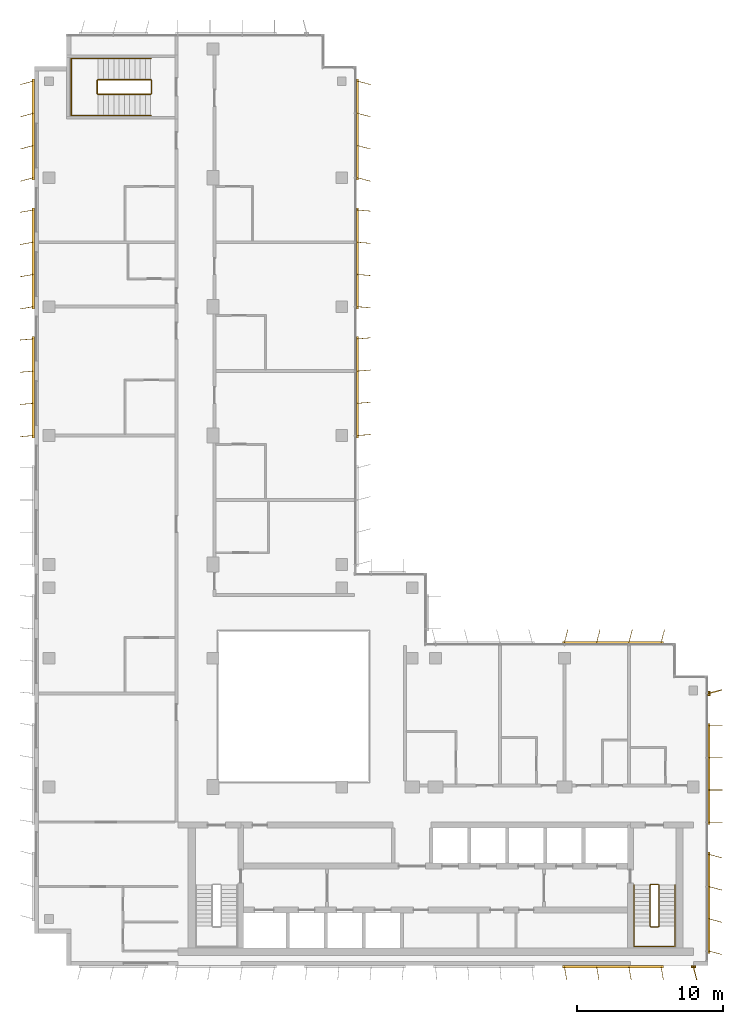
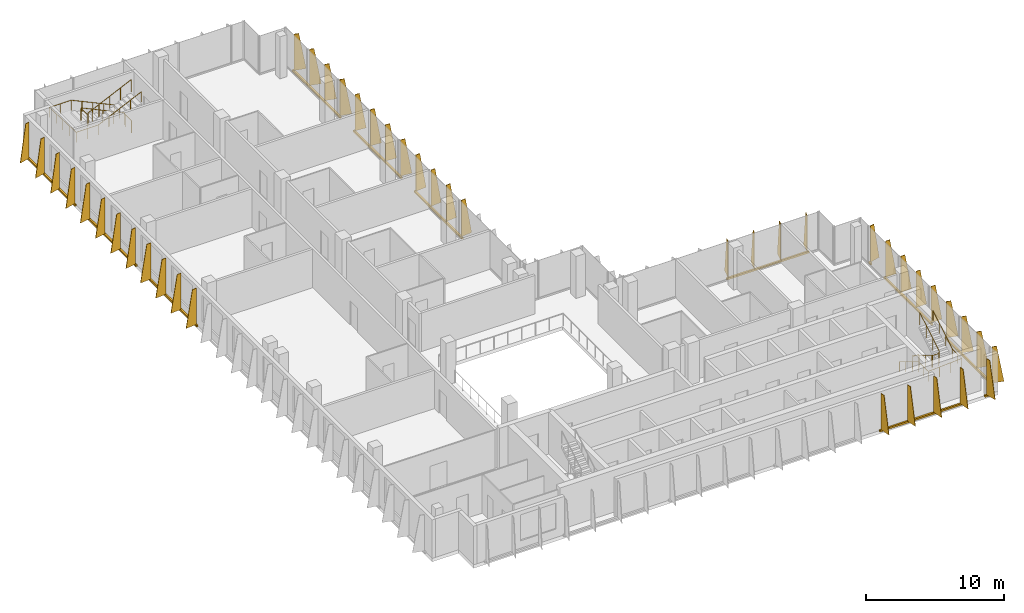
# One storey, part 14 of 15: 12 shading devices, 4 railings.
"""IFC4 building model written with IfcOpenShell, lengths in metres."""

from ifc_helpers import new_model, si_unit, direction, frame, origin, origin_2d, place, context, subcontext, project, spatial, polyline, rectangle, circle, outline, extrude, source, transform, mapped, material, layer, layer_set, type_object, element, save


model = new_model("IFC4")

# Units and contexts
model_context = context("Model", 3, precision=1e-05, world=origin(), true_north=direction((0.0, 1.0)))
body_context = subcontext(model_context, "Body", "Model", "MODEL_VIEW")
ifc_project = project(units=[si_unit("LENGTHUNIT", "METRE"), si_unit("AREAUNIT", "SQUARE_METRE"), si_unit("VOLUMEUNIT", "CUBIC_METRE"), si_unit("PLANEANGLEUNIT", "RADIAN"), si_unit("MASSUNIT", "GRAM", prefix="KILO")], contexts=[model_context])

# Site, building, storey
site_placement = place(None, origin())
site = spatial("IfcSite", under=ifc_project, at=site_placement, CompositionType="ELEMENT")
building_placement = place(site_placement, origin())
building = spatial("IfcBuilding", under=site, at=building_placement, Name="Kemantara Hotel Tower", CompositionType="ELEMENT")
storey_placement = place(building_placement, frame((0.0, 0.0, 294.39990234375)))
storey = spatial("IfcBuildingStorey", under=building, at=storey_placement, Name="L74", CompositionType="ELEMENT", Elevation=294.39990234375)

# Railings
ifc_material_1 = material(Name="Stainless steel balustrade", Category="steel")
railing_type_1 = type_object("IfcRailingType", Name="Stair guard 1100 mm", PredefinedType="GUARDRAIL", material=ifc_material_1)
railing_1_placement = place(storey_placement, frame((42.64990234375, 5.5, 3.7001953125)))
element("IfcRailing", 1, at=railing_1_placement, inside=storey, type_object=railing_type_1, Name="L74 ST2 stair guard 1", PredefinedType="GUARDRAIL", context=body_context, shape_type="SweptSolid", body=[
    extrude(circle(Radius=0.02392578125, at=origin_2d()), frame((0.0, 0.0, 1.076171875), z_axis=(0.0, -0.857242210791, -0.514913383045), x_axis=(1.0, 0.0, 0.0)), (0.0, 0.0, 1.0), 3.266357421875),
    extrude(circle(Radius=0.02392578125, at=origin_2d()), frame((0.0, -2.800048828125, -0.60595703125), z_axis=(-0.273006030465, -0.27434429532, -0.922064485248), x_axis=(0.708833529934, -0.705375805398, 0.0)), (0.0, 0.0, 1.0), 0.182373046875),
    extrude(circle(Radius=0.02392578125, at=origin_2d()), frame((-0.0498046875, -2.85009765625, -0.77392578125), z_axis=(-1.0, 0.0, 0.0), x_axis=(0.0, -1.0, 0.0)), (0.0, 0.0, 1.0), 0.5),
    extrude(circle(Radius=0.02392578125, at=origin_2d()), frame((-0.5498046875, -2.85009765625, -0.77392578125), z_axis=(-0.707106781187, 0.707106781187, 0.0), x_axis=(-0.707106781187, -0.707106781187, 0.0)), (0.0, 0.0, 1.0), 0.07080078125),
    extrude(circle(Radius=0.02392578125, at=origin_2d()), frame((-0.599853515625, -2.800048828125, -0.77392578125), z_axis=(0.0, 0.857242210791, -0.514913383045), x_axis=(-1.0, 0.0, 0.0)), (0.0, 0.0, 1.0), 3.266357421875),
    extrude(circle(Radius=0.02392578125, at=origin_2d()), frame((-0.599853515625, 0.0, -2.4560546875), z_axis=(0.274243871929, 0.274243871929, -0.92172696468), x_axis=(-0.707106781187, 0.707106781187, 0.0)), (0.0, 0.0, 1.0), 0.1826171875),
    extrude(circle(Radius=0.02392578125, at=origin_2d()), frame((-0.5498046875, 0.050048828125, -2.6240234375), z_axis=(1.0, 0.0, 0.0), x_axis=(0.0, 1.0, 0.0)), (0.0, 0.0, 1.0), 0.5),
    extrude(circle(Radius=0.02099609375, at=origin_2d()), origin(), (0.0, 0.0, 1.0), 1.052001953125),
    extrude(circle(Radius=0.02099609375, at=origin_2d()), frame((0.0, -0.933349609375, -0.560546875)), (0.0, 0.0, 1.0), 1.052001953125),
    extrude(circle(Radius=0.02099609375, at=origin_2d()), frame((0.0, -1.86669921875, -1.121337890625)), (0.0, 0.0, 1.0), 1.052001953125),
    extrude(circle(Radius=0.02099609375, at=origin_2d()), frame((0.0, -2.800048828125, -1.681884765625)), (0.0, 0.0, 1.0), 1.052001953125),
    extrude(circle(Radius=0.02099609375, at=origin_2d()), frame((-0.0498046875, -2.85009765625, -1.85009765625)), (0.0, 0.0, 1.0), 1.052001953125),
    extrude(circle(Radius=0.02099609375, at=origin_2d()), frame((-0.5498046875, -2.85009765625, -1.85009765625)), (0.0, 0.0, 1.0), 1.052001953125),
    extrude(circle(Radius=0.02099609375, at=origin_2d()), frame((-0.599853515625, -2.800048828125, -1.85009765625)), (0.0, 0.0, 1.0), 1.052001953125),
    extrude(circle(Radius=0.02099609375, at=origin_2d()), frame((-0.599853515625, -1.86669921875, -2.41064453125)), (0.0, 0.0, 1.0), 1.052001953125),
    extrude(circle(Radius=0.02099609375, at=origin_2d()), frame((-0.599853515625, -0.933349609375, -2.971435546875)), (0.0, 0.0, 1.0), 1.052001953125),
    extrude(circle(Radius=0.02099609375, at=origin_2d()), frame((-0.599853515625, 0.0, -3.531982421875)), (0.0, 0.0, 1.0), 1.052001953125),
    extrude(circle(Radius=0.02099609375, at=origin_2d()), frame((-0.5498046875, 0.050048828125, -3.7001953125)), (0.0, 0.0, 1.0), 1.052001953125),
    extrude(circle(Radius=0.02099609375, at=origin_2d()), frame((-0.0498046875, 0.050048828125, -3.7001953125)), (0.0, 0.0, 1.0), 1.052001953125),
])
railing_2_placement = place(storey_placement, frame((7.949951171875, 59.5, 3.7001953125)))
element("IfcRailing", 2, at=railing_2_placement, inside=storey, type_object=railing_type_1, Name="L74 ST4 stair guard 1", PredefinedType="GUARDRAIL", context=body_context, shape_type="SweptSolid", body=[
    extrude(circle(Radius=0.02392578125, at=origin_2d()), frame((0.0, 0.0, 1.076171875), z_axis=(-0.905994681025, 0.0, -0.423289071386), x_axis=(0.0, -1.0, 0.0)), (0.0, 0.0, 1.0), 3.973388671875),
    extrude(circle(Radius=0.02392578125, at=origin_2d()), frame((-3.599853515625, 0.0, -0.60595703125), z_axis=(-0.274243871929, 0.274243871929, -0.92172696468), x_axis=(-0.707106781187, -0.707106781187, 0.0)), (0.0, 0.0, 1.0), 0.1826171875),
    extrude(circle(Radius=0.02392578125, at=origin_2d()), frame((-3.64990234375, 0.050048828125, -0.77392578125), z_axis=(0.0, 1.0, 0.0), x_axis=(-1.0, 0.0, 0.0)), (0.0, 0.0, 1.0), 0.89990234375),
    extrude(circle(Radius=0.02392578125, at=origin_2d()), frame((-3.64990234375, 0.949951171875, -0.77392578125), z_axis=(0.707106781187, 0.707106781187, 0.0), x_axis=(-0.707106781187, 0.707106781187, 0.0)), (0.0, 0.0, 1.0), 0.07080078125),
    extrude(circle(Radius=0.02392578125, at=origin_2d()), frame((-3.599853515625, 1.0, -0.77392578125), z_axis=(0.905994681025, 0.0, -0.423289071386), x_axis=(0.0, 1.0, 0.0)), (0.0, 0.0, 1.0), 3.973388671875),
    extrude(circle(Radius=0.02392578125, at=origin_2d()), frame((0.0, 1.0, -2.4560546875), z_axis=(0.274243871929, -0.274243871929, -0.92172696468), x_axis=(0.707106781187, 0.707106781187, 0.0)), (0.0, 0.0, 1.0), 0.1826171875),
    extrude(circle(Radius=0.02392578125, at=origin_2d()), frame((0.050048828125, 0.949951171875, -2.6240234375), z_axis=(0.0, -1.0, 0.0), x_axis=(1.0, 0.0, 0.0)), (0.0, 0.0, 1.0), 0.89990234375),
    extrude(circle(Radius=0.02099609375, at=origin_2d()), origin(), (0.0, 0.0, 1.0), 1.052001953125),
    extrude(circle(Radius=0.02099609375, at=origin_2d()), frame((-0.89990234375, 0.0, -0.42041015625)), (0.0, 0.0, 1.0), 1.052001953125),
    extrude(circle(Radius=0.02099609375, at=origin_2d()), frame((-1.7998046875, 0.0, -0.8408203125)), (0.0, 0.0, 1.0), 1.052001953125),
    extrude(circle(Radius=0.02099609375, at=origin_2d()), frame((-2.699951171875, 0.0, -1.261474609375)), (0.0, 0.0, 1.0), 1.052001953125),
    extrude(circle(Radius=0.02099609375, at=origin_2d()), frame((-3.599853515625, 0.0, -1.681884765625)), (0.0, 0.0, 1.0), 1.052001953125),
    extrude(circle(Radius=0.02099609375, at=origin_2d()), frame((-3.64990234375, 0.050048828125, -1.85009765625)), (0.0, 0.0, 1.0), 1.052001953125),
    extrude(circle(Radius=0.02099609375, at=origin_2d()), frame((-3.64990234375, 0.949951171875, -1.85009765625)), (0.0, 0.0, 1.0), 1.052001953125),
    extrude(circle(Radius=0.02099609375, at=origin_2d()), frame((-3.599853515625, 1.0, -1.85009765625)), (0.0, 0.0, 1.0), 1.052001953125),
    extrude(circle(Radius=0.02099609375, at=origin_2d()), frame((-2.699951171875, 1.0, -2.2705078125)), (0.0, 0.0, 1.0), 1.052001953125),
    extrude(circle(Radius=0.02099609375, at=origin_2d()), frame((-1.7998046875, 1.0, -2.69091796875)), (0.0, 0.0, 1.0), 1.052001953125),
    extrude(circle(Radius=0.02099609375, at=origin_2d()), frame((-0.89990234375, 1.0, -3.111572265625)), (0.0, 0.0, 1.0), 1.052001953125),
    extrude(circle(Radius=0.02099609375, at=origin_2d()), frame((0.0, 1.0, -3.531982421875)), (0.0, 0.0, 1.0), 1.052001953125),
    extrude(circle(Radius=0.02099609375, at=origin_2d()), frame((0.050048828125, 0.949951171875, -3.7001953125)), (0.0, 0.0, 1.0), 1.052001953125),
    extrude(circle(Radius=0.02099609375, at=origin_2d()), frame((0.050048828125, 0.050048828125, -3.7001953125)), (0.0, 0.0, 1.0), 1.052001953125),
])
railing_type_2 = type_object("IfcRailingType", Name="Stair handrail 900 mm", PredefinedType="HANDRAIL", material=ifc_material_1)
railing_3_placement = place(storey_placement, frame((40.949951171875, 5.5, 0.168212890625)))
element("IfcRailing", 3, at=railing_3_placement, inside=storey, type_object=railing_type_2, Name="L74 ST2 stair handrail 1", PredefinedType="HANDRAIL", context=body_context, shape_type="SweptSolid", body=[
    extrude(circle(Radius=0.02392578125, at=origin_2d()), frame((0.0, 0.0, 0.8759765625), z_axis=(0.0, -0.857242210791, 0.514913383045), x_axis=(1.0, 0.0, 0.0)), (0.0, 0.0, 1.0), 3.266357421875),
    extrude(circle(Radius=0.02392578125, at=origin_2d()), frame((0.0, -2.800048828125, 2.5576171875), z_axis=(0.0, -1.0, 0.0), x_axis=(1.0, 0.0, 0.0)), (0.0, 0.0, 1.0), 1.3798828125),
    extrude(circle(Radius=0.02392578125, at=origin_2d()), frame((0.0, -4.179931640625, 2.5576171875), z_axis=(0.998200367801, 0.0, 0.059966871865), x_axis=(0.0, 1.0, 0.0)), (0.0, 0.0, 1.0), 2.80517578125),
    extrude(circle(Radius=0.02392578125, at=origin_2d()), frame((2.800048828125, -4.179931640625, 2.72607421875), z_axis=(0.0, 1.0, 0.0), x_axis=(-1.0, 0.0, 0.0)), (0.0, 0.0, 1.0), 1.3798828125),
    extrude(circle(Radius=0.02392578125, at=origin_2d()), frame((2.800048828125, -2.800048828125, 2.72607421875), z_axis=(0.0, 0.857242210791, 0.514913383045), x_axis=(-1.0, 0.0, 0.0)), (0.0, 0.0, 1.0), 3.266357421875),
    extrude(circle(Radius=0.02099609375, at=origin_2d()), origin(), (0.0, 0.0, 1.0), 0.851806640625),
    extrude(circle(Radius=0.02099609375, at=origin_2d()), frame((0.0, -0.933349609375, 0.560546875)), (0.0, 0.0, 1.0), 0.851806640625),
    extrude(circle(Radius=0.02099609375, at=origin_2d()), frame((0.0, -1.86669921875, 1.121337890625)), (0.0, 0.0, 1.0), 0.851806640625),
    extrude(circle(Radius=0.02099609375, at=origin_2d()), frame((0.0, -2.800048828125, 1.681884765625)), (0.0, 0.0, 1.0), 0.851806640625),
    extrude(circle(Radius=0.02099609375, at=origin_2d()), frame((0.0, -3.489990234375, 1.681884765625)), (0.0, 0.0, 1.0), 0.851806640625),
    extrude(circle(Radius=0.02099609375, at=origin_2d()), frame((0.0, -4.179931640625, 1.681884765625)), (0.0, 0.0, 1.0), 0.851806640625),
    extrude(circle(Radius=0.02099609375, at=origin_2d()), frame((0.933349609375, -4.179931640625, 1.738037109375)), (0.0, 0.0, 1.0), 0.851806640625),
    extrude(circle(Radius=0.02099609375, at=origin_2d()), frame((1.86669921875, -4.179931640625, 1.7939453125)), (0.0, 0.0, 1.0), 0.851806640625),
    extrude(circle(Radius=0.02099609375, at=origin_2d()), frame((2.800048828125, -4.179931640625, 1.85009765625)), (0.0, 0.0, 1.0), 0.851806640625),
    extrude(circle(Radius=0.02099609375, at=origin_2d()), frame((2.800048828125, -3.489990234375, 1.85009765625)), (0.0, 0.0, 1.0), 0.851806640625),
    extrude(circle(Radius=0.02099609375, at=origin_2d()), frame((2.800048828125, -2.800048828125, 1.85009765625)), (0.0, 0.0, 1.0), 0.851806640625),
    extrude(circle(Radius=0.02099609375, at=origin_2d()), frame((2.800048828125, -1.86669921875, 2.41064453125)), (0.0, 0.0, 1.0), 0.851806640625),
    extrude(circle(Radius=0.02099609375, at=origin_2d()), frame((2.800048828125, -0.933349609375, 2.971435546875)), (0.0, 0.0, 1.0), 0.851806640625),
    extrude(circle(Radius=0.02099609375, at=origin_2d()), frame((2.800048828125, 0.0, 3.531982421875)), (0.0, 0.0, 1.0), 0.851806640625),
])
railing_4_placement = place(storey_placement, frame((7.949951171875, 61.949951171875, 0.168212890625)))
element("IfcRailing", 4, at=railing_4_placement, inside=storey, type_object=railing_type_2, Name="L74 ST4 stair handrail 1", PredefinedType="HANDRAIL", context=body_context, shape_type="SweptSolid", body=[
    extrude(circle(Radius=0.02392578125, at=origin_2d()), frame((0.0, 0.0, 0.8759765625), z_axis=(-0.905994681025, 0.0, 0.423289071386), x_axis=(0.0, -1.0, 0.0)), (0.0, 0.0, 1.0), 3.973388671875),
    extrude(circle(Radius=0.02392578125, at=origin_2d()), frame((-3.599853515625, 0.0, 2.5576171875), z_axis=(-1.0, 0.0, 0.0), x_axis=(0.0, -1.0, 0.0)), (0.0, 0.0, 1.0), 1.830078125),
    extrude(circle(Radius=0.02392578125, at=origin_2d()), frame((-5.429931640625, 0.0, 2.5576171875), z_axis=(0.0, -0.999071085748, 0.043092523981), x_axis=(1.0, 0.0, 0.0)), (0.0, 0.0, 1.0), 3.903564453125),
    extrude(circle(Radius=0.02392578125, at=origin_2d()), frame((-5.429931640625, -3.89990234375, 2.72607421875), z_axis=(1.0, 0.0, 0.0), x_axis=(0.0, 1.0, 0.0)), (0.0, 0.0, 1.0), 1.830078125),
    extrude(circle(Radius=0.02392578125, at=origin_2d()), frame((-3.599853515625, -3.89990234375, 2.72607421875), z_axis=(0.905994681025, 0.0, 0.423289071386), x_axis=(0.0, 1.0, 0.0)), (0.0, 0.0, 1.0), 3.973388671875),
    extrude(circle(Radius=0.02099609375, at=origin_2d()), origin(), (0.0, 0.0, 1.0), 0.851806640625),
    extrude(circle(Radius=0.02099609375, at=origin_2d()), frame((-0.89990234375, 0.0, 0.42041015625)), (0.0, 0.0, 1.0), 0.851806640625),
    extrude(circle(Radius=0.02099609375, at=origin_2d()), frame((-1.7998046875, 0.0, 0.8408203125)), (0.0, 0.0, 1.0), 0.851806640625),
    extrude(circle(Radius=0.02099609375, at=origin_2d()), frame((-2.699951171875, 0.0, 1.261474609375)), (0.0, 0.0, 1.0), 0.851806640625),
    extrude(circle(Radius=0.02099609375, at=origin_2d()), frame((-3.599853515625, 0.0, 1.681884765625)), (0.0, 0.0, 1.0), 0.851806640625),
    extrude(circle(Radius=0.02099609375, at=origin_2d()), frame((-4.514892578125, 0.0, 1.681884765625)), (0.0, 0.0, 1.0), 0.851806640625),
    extrude(circle(Radius=0.02099609375, at=origin_2d()), frame((-5.429931640625, 0.0, 1.681884765625)), (0.0, 0.0, 1.0), 0.851806640625),
    extrude(circle(Radius=0.02099609375, at=origin_2d()), frame((-5.429931640625, -0.97509765625, 1.723876953125)), (0.0, 0.0, 1.0), 0.851806640625),
    extrude(circle(Radius=0.02099609375, at=origin_2d()), frame((-5.429931640625, -1.949951171875, 1.76611328125)), (0.0, 0.0, 1.0), 0.851806640625),
    extrude(circle(Radius=0.02099609375, at=origin_2d()), frame((-5.429931640625, -2.9248046875, 1.80810546875)), (0.0, 0.0, 1.0), 0.851806640625),
    extrude(circle(Radius=0.02099609375, at=origin_2d()), frame((-5.429931640625, -3.89990234375, 1.85009765625)), (0.0, 0.0, 1.0), 0.851806640625),
    extrude(circle(Radius=0.02099609375, at=origin_2d()), frame((-4.514892578125, -3.89990234375, 1.85009765625)), (0.0, 0.0, 1.0), 0.851806640625),
    extrude(circle(Radius=0.02099609375, at=origin_2d()), frame((-3.599853515625, -3.89990234375, 1.85009765625)), (0.0, 0.0, 1.0), 0.851806640625),
    extrude(circle(Radius=0.02099609375, at=origin_2d()), frame((-2.699951171875, -3.89990234375, 2.2705078125)), (0.0, 0.0, 1.0), 0.851806640625),
    extrude(circle(Radius=0.02099609375, at=origin_2d()), frame((-1.7998046875, -3.89990234375, 2.69091796875)), (0.0, 0.0, 1.0), 0.851806640625),
    extrude(circle(Radius=0.02099609375, at=origin_2d()), frame((-0.89990234375, -3.89990234375, 3.111572265625)), (0.0, 0.0, 1.0), 0.851806640625),
    extrude(circle(Radius=0.02099609375, at=origin_2d()), frame((0.0, -3.89990234375, 3.531982421875)), (0.0, 0.0, 1.0), 0.851806640625),
])

# Shading devices
ifc_material_2 = material(Name="Perforated aluminium plate 4 mm bronze anodised", Category="aluminium")
ifc_layer_1 = layer(ifc_material_2, 0.0400390625)
ifc_layer_set_1 = layer_set([ifc_layer_1], Name="Perforated aluminium plate 4 mm bronze anodised")
shading_device_type_1 = type_object("IfcShadingDeviceType", Name="SCREEN FIN CASSETTE, 4 BLADES AT -5.0 DEG, 3200 HIGH", PredefinedType="USERDEFINED", material=ifc_layer_set_1)
shared_shape_1 = source(origin(), body_context, "Body", "SweptSolid", [
    extrude(rectangle(XDim=6.89990234375, YDim=0.14990234375, at=origin_2d()), frame((3.300048828125, -0.074951171875, -0.14990234375), z_axis=(0.0, 0.0, 1.0), x_axis=(1.0, 0.0, 0.0)), (0.0, 0.0, 1.0), 0.14990234375),
    extrude(outline(polyline([(0.0, 0.0), (0.89990234375, 0.0), (0.35009765625, 3.199951171875), (0.0, 3.199951171875), (0.0, 0.0)])), frame((0.02001953125, -0.07666015625, 0.0), z_axis=(-0.996376129781, 0.085056498884, 0.0), x_axis=(-0.085056498884, -0.996376129781, 0.0)), (0.0, 0.0, 1.0), 0.040283203125),
    extrude(outline(polyline([(0.0, 0.0), (0.89990234375, 0.0), (0.35009765625, 3.199951171875), (0.0, 3.199951171875), (0.0, 0.0)])), frame((2.219970703125, -0.07666015625, 0.0), z_axis=(-0.996331773833, 0.085574508182, 0.0), x_axis=(-0.085574508182, -0.996331773833, 0.0)), (0.0, 0.0, 1.0), 0.0400390625),
    extrude(outline(polyline([(0.0, 0.0), (0.89990234375, 0.0), (0.35009765625, 3.199951171875), (0.0, 3.199951171875), (0.0, 0.0)])), frame((4.419921875, -0.07666015625, 0.0), z_axis=(-0.996331773833, 0.085574508182, 0.0), x_axis=(-0.085574508182, -0.996331773833, 0.0)), (0.0, 0.0, 1.0), 0.0400390625),
    extrude(outline(polyline([(0.0, 0.0), (0.89990234375, 0.0), (0.35009765625, 3.199951171875), (0.0, 3.199951171875), (0.0, 0.0)])), frame((6.619873046875, -0.07666015625, 0.0), z_axis=(-0.996331773833, 0.085574508182, 0.0), x_axis=(-0.085574508182, -0.996331773833, 0.0)), (0.0, 0.0, 1.0), 0.0400390625),
])
shading_device_1_placement = place(storey_placement, frame((22.0, 45.0, 0.10009765625), z_axis=(0.0, 0.0, 1.0), x_axis=(0.0, 1.0, 0.0)))
element("IfcShadingDevice", 5, at=shading_device_1_placement, inside=storey, type_object=shading_device_type_1, Name="SCREEN FIN CASSETTE L74 T4-R15-3", ObjectType="SCREEN FIN", PredefinedType="USERDEFINED", context=body_context, shape_type="MappedRepresentation", body=[
    mapped(shared_shape_1, transform((0.0, 0.0, 0.0))),
])
ifc_layer_2 = layer(ifc_material_2, 0.0400390625)
ifc_layer_set_2 = layer_set([ifc_layer_2], Name="Perforated aluminium plate 4 mm bronze anodised")
shading_device_type_2 = type_object("IfcShadingDeviceType", Name="SCREEN FIN CASSETTE, 4 BLADES AT +0.0 DEG, 3200 HIGH", PredefinedType="USERDEFINED", material=ifc_layer_set_2)
shared_shape_2 = source(origin(), body_context, "Body", "SweptSolid", [
    extrude(rectangle(XDim=6.89990234375, YDim=0.14990234375, at=origin_2d()), frame((3.300048828125, -0.074951171875, -0.14990234375), z_axis=(0.0, 0.0, 1.0), x_axis=(1.0, 0.0, 0.0)), (0.0, 0.0, 1.0), 0.14990234375),
    extrude(outline(polyline([(0.0, 0.0), (0.89990234375, 0.0), (0.35009765625, 3.199951171875), (0.0, 3.199951171875), (0.0, 0.0)])), frame((0.02001953125, -0.074951171875, 0.0), z_axis=(-1.0, 0.0, 0.0), x_axis=(0.0, -1.0, 0.0)), (0.0, 0.0, 1.0), 0.0400390625),
    extrude(outline(polyline([(0.0, 0.0), (0.89990234375, 0.0), (0.35009765625, 3.199951171875), (0.0, 3.199951171875), (0.0, 0.0)])), frame((2.219970703125, -0.074951171875, 0.0), z_axis=(-1.0, 0.0, 0.0), x_axis=(0.0, -1.0, 0.0)), (0.0, 0.0, 1.0), 0.0400390625),
    extrude(outline(polyline([(0.0, 0.0), (0.89990234375, 0.0), (0.35009765625, 3.199951171875), (0.0, 3.199951171875), (0.0, 0.0)])), frame((4.419921875, -0.074951171875, 0.0), z_axis=(-1.0, 0.0, 0.0), x_axis=(0.0, -1.0, 0.0)), (0.0, 0.0, 1.0), 0.0400390625),
    extrude(outline(polyline([(0.0, 0.0), (0.89990234375, 0.0), (0.35009765625, 3.199951171875), (0.0, 3.199951171875), (0.0, 0.0)])), frame((6.6201171875, -0.074951171875, 0.0), z_axis=(-1.0, 0.0, 0.0), x_axis=(0.0, -1.0, 0.0)), (0.0, 0.0, 1.0), 0.0400390625),
])
shading_device_2_placement = place(storey_placement, frame((46.0, 9.800048828125, 0.10009765625), z_axis=(0.0, 0.0, 1.0), x_axis=(0.0, 1.0, 0.0)))
element("IfcShadingDevice", 6, at=shading_device_2_placement, inside=storey, type_object=shading_device_type_2, Name="SCREEN FIN CASSETTE L74 T4-R09-2", ObjectType="SCREEN FIN", PredefinedType="USERDEFINED", context=body_context, shape_type="MappedRepresentation", body=[
    mapped(shared_shape_2, transform((0.0, 0.0, 0.0))),
])
ifc_layer_3 = layer(ifc_material_2, 0.0400390625)
ifc_layer_set_3 = layer_set([ifc_layer_3], Name="Perforated aluminium plate 4 mm bronze anodised")
shading_device_type_3 = type_object("IfcShadingDeviceType", Name="SCREEN FIN CASSETTE, 4 BLADES AT +5.0 DEG, 3200 HIGH", PredefinedType="USERDEFINED", material=ifc_layer_set_3)
shared_shape_3 = source(origin(), body_context, "Body", "SweptSolid", [
    extrude(rectangle(XDim=6.89990234375, YDim=0.14990234375, at=origin_2d()), frame((3.300048828125, -0.074951171875, -0.14990234375), z_axis=(0.0, 0.0, 1.0), x_axis=(1.0, 0.0, 0.0)), (0.0, 0.0, 1.0), 0.14990234375),
    extrude(outline(polyline([(0.0, 0.0), (0.89990234375, 0.0), (0.35009765625, 3.199951171875), (0.0, 3.199951171875), (0.0, 0.0)])), frame((0.02001953125, -0.0732421875, 0.0), z_axis=(-0.996376129781, -0.085056498884, 0.0), x_axis=(0.085056498884, -0.996376129781, 0.0)), (0.0, 0.0, 1.0), 0.040283203125),
    extrude(outline(polyline([(0.0, 0.0), (0.89990234375, 0.0), (0.35009765625, 3.199951171875), (0.0, 3.199951171875), (0.0, 0.0)])), frame((2.219970703125, -0.0732421875, 0.0), z_axis=(-0.996331773833, -0.085574508182, 0.0), x_axis=(0.085574508182, -0.996331773833, 0.0)), (0.0, 0.0, 1.0), 0.0400390625),
    extrude(outline(polyline([(0.0, 0.0), (0.89990234375, 0.0), (0.35009765625, 3.199951171875), (0.0, 3.199951171875), (0.0, 0.0)])), frame((4.419921875, -0.0732421875, 0.0), z_axis=(-0.996331773833, -0.085574508182, 0.0), x_axis=(0.085574508182, -0.996331773833, 0.0)), (0.0, 0.0, 1.0), 0.0400390625),
    extrude(outline(polyline([(0.0, 0.0), (0.89990234375, 0.0), (0.35009765625, 3.199951171875), (0.0, 3.199951171875), (0.0, 0.0)])), frame((6.619873046875, -0.0732421875, 0.0), z_axis=(-0.996331773833, -0.085574508182, 0.0), x_axis=(0.085574508182, -0.996331773833, 0.0)), (0.0, 0.0, 1.0), 0.0400390625),
])
for number, where, z_axis, x_axis, name in (
    (7, (0.0, 42.800048828125, 0.10009765625), (0.0, 0.0, 1.0), (0.0, -1.0, 0.0), "SCREEN FIN CASSETTE L74 T4-R05-3"),
    (8, (22.0, 36.199951171875, 0.10009765625), (0.0, 0.0, 1.0), (0.0, 1.0, 0.0), "SCREEN FIN CASSETTE L74 T4-R15-2"),
):
    element("IfcShadingDevice", number, at=place(storey_placement, frame(where, z_axis=z_axis, x_axis=x_axis)), inside=storey, type_object=shading_device_type_3, Name=name, ObjectType="SCREEN FIN", PredefinedType="USERDEFINED", context=body_context, shape_type="MappedRepresentation", body=[
        mapped(shared_shape_3, transform((0.0, 0.0, 0.0))),
    ])
ifc_layer_4 = layer(ifc_material_2, 0.0400390625)
ifc_layer_set_4 = layer_set([ifc_layer_4], Name="Perforated aluminium plate 4 mm bronze anodised")
shading_device_type_4 = type_object("IfcShadingDeviceType", Name="SCREEN FIN CASSETTE, 4 BLADES AT +10.0 DEG, 3200 HIGH", PredefinedType="USERDEFINED", material=ifc_layer_set_4)
shared_shape_4 = source(origin(), body_context, "Body", "SweptSolid", [
    extrude(rectangle(XDim=6.89990234375, YDim=0.14990234375, at=origin_2d()), frame((3.300048828125, -0.074951171875, -0.14990234375), z_axis=(0.0, 0.0, 1.0), x_axis=(1.0, 0.0, 0.0)), (0.0, 0.0, 1.0), 0.14990234375),
    extrude(outline(polyline([(0.0, 0.0), (0.89990234375, 0.0), (0.35009765625, 3.199951171875), (0.0, 3.199951171875), (0.0, 0.0)])), frame((0.019775390625, -0.071533203125, 0.0), z_axis=(-0.985389793052, -0.170314285219, 0.0), x_axis=(0.170314285219, -0.985389793052, 0.0)), (0.0, 0.0, 1.0), 0.0400390625),
    extrude(outline(polyline([(0.0, 0.0), (0.89990234375, 0.0), (0.35009765625, 3.199951171875), (0.0, 3.199951171875), (0.0, 0.0)])), frame((2.2197265625, -0.071533203125, 0.0), z_axis=(-0.98521175482, -0.171341174751, 0.0), x_axis=(0.171341174751, -0.98521175482, 0.0)), (0.0, 0.0, 1.0), 0.039794921875),
    extrude(outline(polyline([(0.0, 0.0), (0.89990234375, 0.0), (0.35009765625, 3.199951171875), (0.0, 3.199951171875), (0.0, 0.0)])), frame((4.419677734375, -0.071533203125, 0.0), z_axis=(-0.98521175482, -0.171341174751, 0.0), x_axis=(0.171341174751, -0.98521175482, 0.0)), (0.0, 0.0, 1.0), 0.039794921875),
    extrude(outline(polyline([(0.0, 0.0), (0.89990234375, 0.0), (0.35009765625, 3.199951171875), (0.0, 3.199951171875), (0.0, 0.0)])), frame((6.61962890625, -0.071533203125, 0.0), z_axis=(-0.98521175482, -0.171341174751, 0.0), x_axis=(0.171341174751, -0.98521175482, 0.0)), (0.0, 0.0, 1.0), 0.039794921875),
])
for number, where, z_axis, x_axis, name in (
    (9, (0.0, 51.60009765625, 0.10009765625), (0.0, 0.0, 1.0), (0.0, -1.0, 0.0), "SCREEN FIN CASSETTE L74 T4-R05-2"),
    (10, (36.199951171875, 0.0, 0.10009765625), (0.0, 0.0, 1.0), (1.0, 0.0, 0.0), "SCREEN FIN CASSETTE L74 T4-R08-5"),
):
    element("IfcShadingDevice", number, at=place(storey_placement, frame(where, z_axis=z_axis, x_axis=x_axis)), inside=storey, type_object=shading_device_type_4, Name=name, ObjectType="SCREEN FIN", PredefinedType="USERDEFINED", context=body_context, shape_type="MappedRepresentation", body=[
        mapped(shared_shape_4, transform((0.0, 0.0, 0.0))),
    ])
ifc_layer_5 = layer(ifc_material_2, 0.0400390625)
ifc_layer_set_5 = layer_set([ifc_layer_5], Name="Perforated aluminium plate 4 mm bronze anodised")
shading_device_type_5 = type_object("IfcShadingDeviceType", Name="SCREEN FIN CASSETTE, 4 BLADES AT +15.0 DEG, 3200 HIGH", PredefinedType="USERDEFINED", material=ifc_layer_set_5)
shared_shape_5 = source(origin(), body_context, "Body", "SweptSolid", [
    extrude(rectangle(XDim=6.89990234375, YDim=0.14990234375, at=origin_2d()), frame((3.300048828125, -0.074951171875, -0.14990234375), z_axis=(0.0, 0.0, 1.0), x_axis=(1.0, 0.0, 0.0)), (0.0, 0.0, 1.0), 0.14990234375),
    extrude(outline(polyline([(0.0, 0.0), (0.89990234375, 0.0), (0.35009765625, 3.199951171875), (0.0, 3.199951171875), (0.0, 0.0)])), frame((0.019287109375, -0.06982421875, 0.0), z_axis=(-0.966437683387, -0.256901156343, 0.0), x_axis=(0.256901156343, -0.966437683387, 0.0)), (0.0, 0.0, 1.0), 0.039794921875),
    extrude(outline(polyline([(0.0, 0.0), (0.89990234375, 0.0), (0.35009765625, 3.199951171875), (0.0, 3.199951171875), (0.0, 0.0)])), frame((2.21923828125, -0.06982421875, 0.0), z_axis=(-0.966437683387, -0.256901156343, 0.0), x_axis=(0.256901156343, -0.966437683387, 0.0)), (0.0, 0.0, 1.0), 0.039794921875),
    extrude(outline(polyline([(0.0, 0.0), (0.89990234375, 0.0), (0.35009765625, 3.199951171875), (0.0, 3.199951171875), (0.0, 0.0)])), frame((4.41943359375, -0.06982421875, 0.0), z_axis=(-0.966837822169, -0.255391122837, 0.0), x_axis=(0.255391122837, -0.966837822169, 0.0)), (0.0, 0.0, 1.0), 0.0400390625),
    extrude(outline(polyline([(0.0, 0.0), (0.89990234375, 0.0), (0.35009765625, 3.199951171875), (0.0, 3.199951171875), (0.0, 0.0)])), frame((6.619384765625, -0.06982421875, 0.0), z_axis=(-0.966837822169, -0.255391122837, 0.0), x_axis=(0.255391122837, -0.966837822169, 0.0)), (0.0, 0.0, 1.0), 0.0400390625),
])
shading_device_3_placement = place(storey_placement, frame((0.0, 60.39990234375, 0.10009765625), z_axis=(0.0, 0.0, 1.0), x_axis=(0.0, -1.0, 0.0)))
element("IfcShadingDevice", 11, at=shading_device_3_placement, inside=storey, type_object=shading_device_type_5, Name="SCREEN FIN CASSETTE L74 T4-R05-1", ObjectType="SCREEN FIN", PredefinedType="USERDEFINED", context=body_context, shape_type="MappedRepresentation", body=[
    mapped(shared_shape_5, transform((0.0, 0.0, 0.0))),
])
ifc_layer_6 = layer(ifc_material_2, 0.0400390625)
ifc_layer_set_6 = layer_set([ifc_layer_6], Name="Perforated aluminium plate 4 mm bronze anodised")
shading_device_type_6 = type_object("IfcShadingDeviceType", Name="SCREEN FIN CASSETTE, 4 BLADES AT -15.0 DEG, 3200 HIGH", PredefinedType="USERDEFINED", material=ifc_layer_set_6)
shared_shape_6 = source(origin(), body_context, "Body", "SweptSolid", [
    extrude(rectangle(XDim=6.89990234375, YDim=0.14990234375, at=origin_2d()), frame((3.300048828125, -0.074951171875, -0.14990234375), z_axis=(0.0, 0.0, 1.0), x_axis=(1.0, 0.0, 0.0)), (0.0, 0.0, 1.0), 0.14990234375),
    extrude(outline(polyline([(0.0, 0.0), (0.89990234375, 0.0), (0.35009765625, 3.199951171875), (0.0, 3.199951171875), (0.0, 0.0)])), frame((0.019287109375, -0.080078125, 0.0), z_axis=(-0.966437683387, 0.256901156343, 0.0), x_axis=(-0.256901156343, -0.966437683387, 0.0)), (0.0, 0.0, 1.0), 0.039794921875),
    extrude(outline(polyline([(0.0, 0.0), (0.89990234375, 0.0), (0.35009765625, 3.199951171875), (0.0, 3.199951171875), (0.0, 0.0)])), frame((2.21923828125, -0.080078125, 0.0), z_axis=(-0.966437683387, 0.256901156343, 0.0), x_axis=(-0.256901156343, -0.966437683387, 0.0)), (0.0, 0.0, 1.0), 0.039794921875),
    extrude(outline(polyline([(0.0, 0.0), (0.89990234375, 0.0), (0.35009765625, 3.199951171875), (0.0, 3.199951171875), (0.0, 0.0)])), frame((4.41943359375, -0.080078125, 0.0), z_axis=(-0.966837822169, 0.255391122837, 0.0), x_axis=(-0.255391122837, -0.966837822169, 0.0)), (0.0, 0.0, 1.0), 0.0400390625),
    extrude(outline(polyline([(0.0, 0.0), (0.89990234375, 0.0), (0.35009765625, 3.199951171875), (0.0, 3.199951171875), (0.0, 0.0)])), frame((6.619384765625, -0.080078125, 0.0), z_axis=(-0.966837822169, 0.255391122837, 0.0), x_axis=(-0.255391122837, -0.966837822169, 0.0)), (0.0, 0.0, 1.0), 0.0400390625),
])
for number, where, z_axis, x_axis, name in (
    (12, (46.0, 1.0, 0.10009765625), (0.0, 0.0, 1.0), (0.0, 1.0, 0.0), "SCREEN FIN CASSETTE L74 T4-R09-1"),
    (13, (42.800048828125, 22.0, 0.10009765625), (0.0, 0.0, 1.0), (-1.0, 0.0, 0.0), "SCREEN FIN CASSETTE L74 T4-R12-1"),
    (14, (22.0, 53.800048828125, 0.10009765625), (0.0, 0.0, 1.0), (0.0, 1.0, 0.0), "SCREEN FIN CASSETTE L74 T4-R15-4"),
):
    element("IfcShadingDevice", number, at=place(storey_placement, frame(where, z_axis=z_axis, x_axis=x_axis)), inside=storey, type_object=shading_device_type_6, Name=name, ObjectType="SCREEN FIN", PredefinedType="USERDEFINED", context=body_context, shape_type="MappedRepresentation", body=[
        mapped(shared_shape_6, transform((0.0, 0.0, 0.0))),
    ])
ifc_layer_7 = layer(ifc_material_2, 0.0400390625)
ifc_layer_set_7 = layer_set([ifc_layer_7], Name="Perforated aluminium plate 4 mm bronze anodised")
shading_device_type_7 = type_object("IfcShadingDeviceType", Name="SCREEN FIN CASSETTE, 1 BLADE AT +15.0 DEG, 3200 HIGH", PredefinedType="USERDEFINED", material=ifc_layer_set_7)
shared_shape_7 = source(origin(), body_context, "Body", "SweptSolid", [
    extrude(rectangle(XDim=0.300048828125, YDim=0.14990234375, at=origin_2d()), frame((0.0, -0.074951171875, -0.14990234375), z_axis=(0.0, 0.0, 1.0), x_axis=(1.0, 0.0, 0.0)), (0.0, 0.0, 1.0), 0.14990234375),
    extrude(outline(polyline([(0.0, 0.0), (0.89990234375, 0.0), (0.35009765625, 3.199951171875), (0.0, 3.199951171875), (0.0, 0.0)])), frame((0.019287109375, -0.06982421875, 0.0), z_axis=(-0.966437683387, -0.256901156343, 0.0), x_axis=(0.256901156343, -0.966437683387, 0.0)), (0.0, 0.0, 1.0), 0.039794921875),
])
for number, where, z_axis, x_axis, name in (
    (15, (45.0, 0.0, 0.10009765625), (0.0, 0.0, 1.0), (1.0, 0.0, 0.0), "SCREEN FIN CASSETTE L74 T4-R08-6"),
    (16, (46.0, 18.60009765625, 0.10009765625), (0.0, 0.0, 1.0), (0.0, 1.0, 0.0), "SCREEN FIN CASSETTE L74 T4-R09-3"),
):
    element("IfcShadingDevice", number, at=place(storey_placement, frame(where, z_axis=z_axis, x_axis=x_axis)), inside=storey, type_object=shading_device_type_7, Name=name, ObjectType="SCREEN FIN", PredefinedType="USERDEFINED", context=body_context, shape_type="MappedRepresentation", body=[
        mapped(shared_shape_7, transform((0.0, 0.0, 0.0))),
    ])

save(model, "model.ifc")
